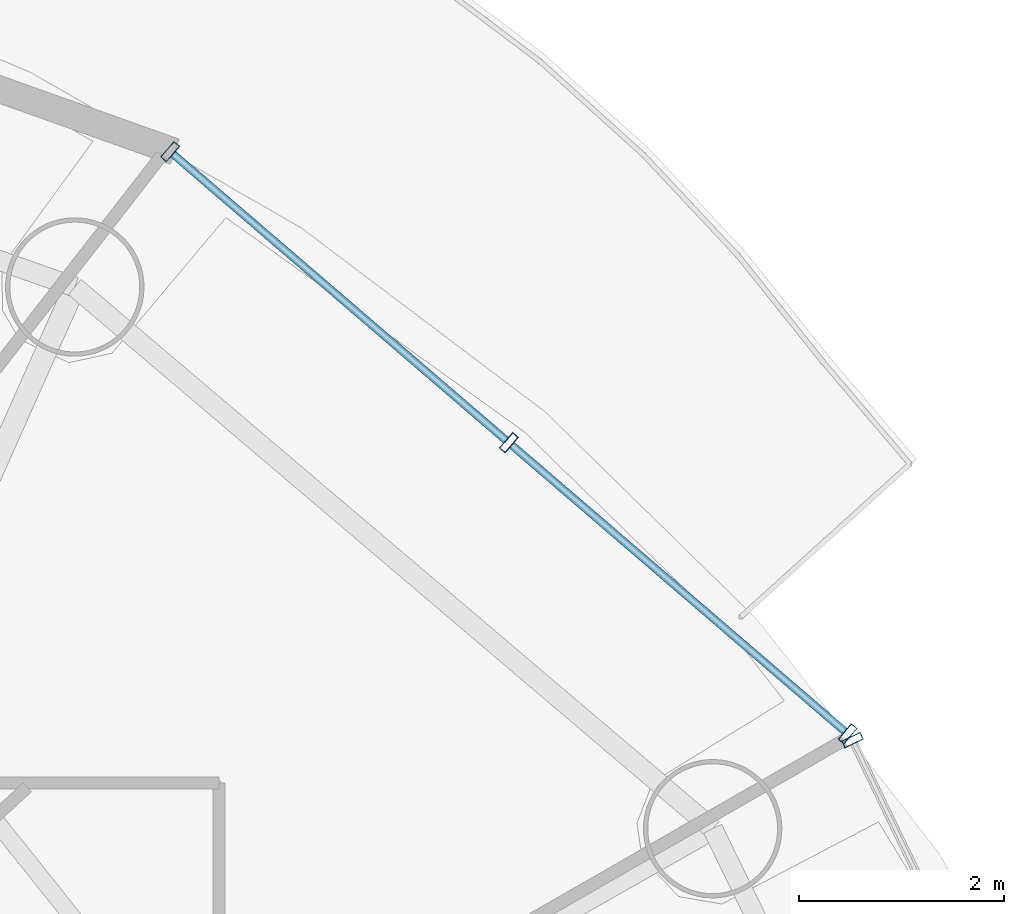
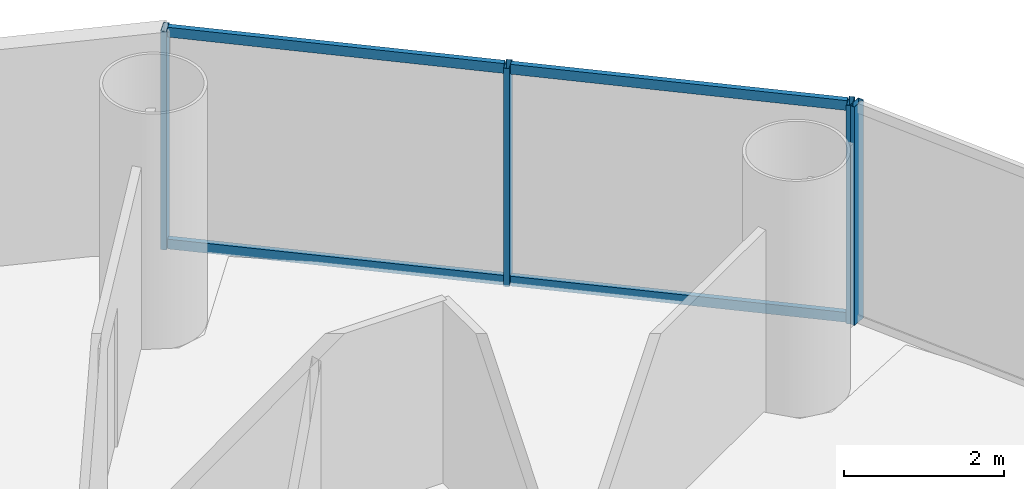
# One storey, part 19 of 27: 8 members, 2 elements without a shape of their own.
"""IFC4 building model written with IfcOpenShell, lengths in metres."""

from ifc_helpers import new_model, si_unit, direction, frame, origin, origin_2d, place, context, subcontext, project, spatial, hollow_rectangle, extrude, source, transform, mapped, material, material_profile, profile_set, type_object, element, aggregate, save


model = new_model("IFC4")

# Units and contexts
model_context = context("Model", 3, precision=1e-05, world=origin(), true_north=direction((-0.2419218956, 0.970295726276)))
body_context = subcontext(model_context, "Body", "Model", "MODEL_VIEW")
ifc_project = project(units=[si_unit("LENGTHUNIT", "METRE"), si_unit("AREAUNIT", "SQUARE_METRE"), si_unit("VOLUMEUNIT", "CUBIC_METRE"), si_unit("PLANEANGLEUNIT", "RADIAN"), si_unit("MASSUNIT", "GRAM", prefix="KILO")], contexts=[model_context])

# Site, building, storey
site_placement = place(None, origin())
site = spatial("IfcSite", under=ifc_project, at=site_placement, CompositionType="ELEMENT")
building_placement = place(site_placement, origin())
building = spatial("IfcBuilding", under=site, at=building_placement, Name="Cobrevalo Terracotta Tower", CompositionType="ELEMENT")
storey_placement = place(building_placement, frame((0.0, 0.0, 153.39990234375)))
storey = spatial("IfcBuildingStorey", under=building, at=storey_placement, Name="L40", CompositionType="ELEMENT", Elevation=153.39990234375)

# Curtain wall, member
ifc_material = material(Name="Anodized aluminium", Category="aluminium")
curtain_wall_type = type_object("IfcCurtainWallType", Name="Mid-tower high-wind unitised curtain wall CW-U2", PredefinedType="NOTDEFINED", material=ifc_material)
curtain_wall_1_placement = place(storey_placement, origin())
curtain_wall_1 = element("IfcCurtainWall", 1, at=curtain_wall_1_placement, inside=storey, type_object=curtain_wall_type, Name="L40 curtain wall CW-L40-S01", PredefinedType="NOTDEFINED")
ifc_material_profile_1 = material_profile(ifc_material, hollow_rectangle(XDim=0.074951171875, YDim=0.199951171875, WallThickness=0.0048828125, at=origin_2d()), Name="CWM 75x200")
ifc_profile_set_1 = profile_set([ifc_material_profile_1], Name="Anodized aluminium")
member_type_1 = type_object("IfcMemberType", Name="Lower/mid tower unitised mullion 75x200", PredefinedType="MULLION", material=ifc_profile_set_1)
shared_shape_1 = source(origin(), body_context, "Body", "SweptSolid", [
    extrude(hollow_rectangle(XDim=0.074951171875, YDim=0.199951171875, WallThickness=0.0048828125, at=origin_2d()), origin(), (0.0, 0.0, 1.0), 3.330078125),
])
member_1_placement = place(storey_placement, frame((58.114013671875, 38.30322265625, 0.0), z_axis=(0.0, 0.0, 1.0), x_axis=(-0.434209440271, 0.900811945957, 0.0)))
member_1 = element("IfcMember", 2, at=member_1_placement, type_object=member_type_1, Name="CW-L40-S01 vertical mullion 03", PredefinedType="MULLION", context=body_context, shape_type="MappedRepresentation", body=[
    mapped(shared_shape_1, transform((0.0, 0.0, 0.0), scale=1.0)),
])
aggregate(curtain_wall_1, [member_1])

# Curtain wall, members
curtain_wall_2_placement = place(storey_placement, origin())
curtain_wall_2 = element("IfcCurtainWall", 3, at=curtain_wall_2_placement, inside=storey, type_object=curtain_wall_type, Name="L40 curtain wall CW-L40-S02", PredefinedType="NOTDEFINED")
member_2_placement = place(storey_placement, frame((58.066162109375, 38.365234375, 0.0), z_axis=(0.0, 0.0, 1.0), x_axis=(-0.758441546142, 0.65174106905, 0.0)))
member_2 = element("IfcMember", 4, at=member_2_placement, type_object=member_type_1, Name="CW-L40-S02 vertical mullion 01", PredefinedType="MULLION", context=body_context, shape_type="MappedRepresentation", body=[
    mapped(shared_shape_1, transform((0.0, 0.0, 0.0), scale=1.0)),
])
member_3_placement = place(storey_placement, frame((54.762451171875, 41.204345703125, 0.0), z_axis=(0.0, 0.0, 1.0), x_axis=(-0.758441546142, 0.65174106905, 0.0)))
member_3 = element("IfcMember", 5, at=member_3_placement, type_object=member_type_1, Name="CW-L40-S02 vertical mullion 02", PredefinedType="MULLION", context=body_context, shape_type="MappedRepresentation", body=[
    mapped(shared_shape_1, transform((0.0, 0.0, 0.0), scale=1.0)),
])
member_4_placement = place(storey_placement, frame((51.45849609375, 44.04345703125, 0.0), z_axis=(0.0, 0.0, 1.0), x_axis=(-0.758441546142, 0.65174106905, 0.0)))
member_4 = element("IfcMember", 6, at=member_4_placement, type_object=member_type_1, Name="CW-L40-S02 vertical mullion 03", PredefinedType="MULLION", context=body_context, shape_type="MappedRepresentation", body=[
    mapped(shared_shape_1, transform((0.0, 0.0, 0.0), scale=1.0)),
])
ifc_material_profile_2 = material_profile(ifc_material, hollow_rectangle(XDim=0.074951171875, YDim=0.14990234375, WallThickness=0.00439453125, at=origin_2d()), Name="CWT 75x150")
ifc_profile_set_2 = profile_set([ifc_material_profile_2], Name="Anodized aluminium")
member_type_2 = type_object("IfcMemberType", Name="Tower unitised aluminium transom 75x150", PredefinedType="USERDEFINED", material=ifc_profile_set_2)
shared_shape_2 = source(origin(), body_context, "Body", "SweptSolid", [
    extrude(hollow_rectangle(XDim=0.074951171875, YDim=0.14990234375, WallThickness=0.00439453125, at=origin_2d()), origin(), (0.0, 0.0, 1.0), 4.276123046875),
])
member_5_placement = place(storey_placement, frame((58.035888671875, 38.391357421875, 0.050048828125), z_axis=(-0.758445941187, 0.65173595443, 0.0), x_axis=(-0.65173595443, -0.758445941187, 0.0)))
member_5 = element("IfcMember", 7, at=member_5_placement, type_object=member_type_2, Name="CW-L40-S02 transom B01-T1", ObjectType="TRANSOM", PredefinedType="USERDEFINED", context=body_context, shape_type="MappedRepresentation", body=[
    mapped(shared_shape_2, transform((0.0, 0.0, 0.0), scale=1.0)),
])
member_6_placement = place(storey_placement, frame((58.035888671875, 38.391357421875, 3.280029296875), z_axis=(-0.758445941187, 0.65173595443, 0.0), x_axis=(-0.65173595443, -0.758445941187, 0.0)))
member_6 = element("IfcMember", 8, at=member_6_placement, type_object=member_type_2, Name="CW-L40-S02 transom B01-T2", ObjectType="TRANSOM", PredefinedType="USERDEFINED", context=body_context, shape_type="MappedRepresentation", body=[
    mapped(shared_shape_2, transform((0.0, 0.0, 0.0), scale=1.0)),
])
member_7_placement = place(storey_placement, frame((54.73193359375, 41.23046875, 0.050048828125), z_axis=(-0.758417719247, 0.651768795764, 0.0), x_axis=(-0.651768795764, -0.758417719247, 0.0)))
member_7 = element("IfcMember", 9, at=member_7_placement, type_object=member_type_2, Name="CW-L40-S02 transom B02-T1", ObjectType="TRANSOM", PredefinedType="USERDEFINED", context=body_context, shape_type="MappedRepresentation", body=[
    mapped(shared_shape_2, transform((0.0, 0.0, 0.0), scale=1.0)),
])
member_8_placement = place(storey_placement, frame((54.73193359375, 41.23046875, 3.280029296875), z_axis=(-0.758417719247, 0.651768795764, 0.0), x_axis=(-0.651768795764, -0.758417719247, 0.0)))
member_8 = element("IfcMember", 10, at=member_8_placement, type_object=member_type_2, Name="CW-L40-S02 transom B02-T2", ObjectType="TRANSOM", PredefinedType="USERDEFINED", context=body_context, shape_type="MappedRepresentation", body=[
    mapped(shared_shape_2, transform((0.0, 0.0, 0.0), scale=1.0)),
])
aggregate(curtain_wall_2, [member_2, member_3, member_4, member_5, member_6, member_7, member_8])

save(model, "model.ifc")
